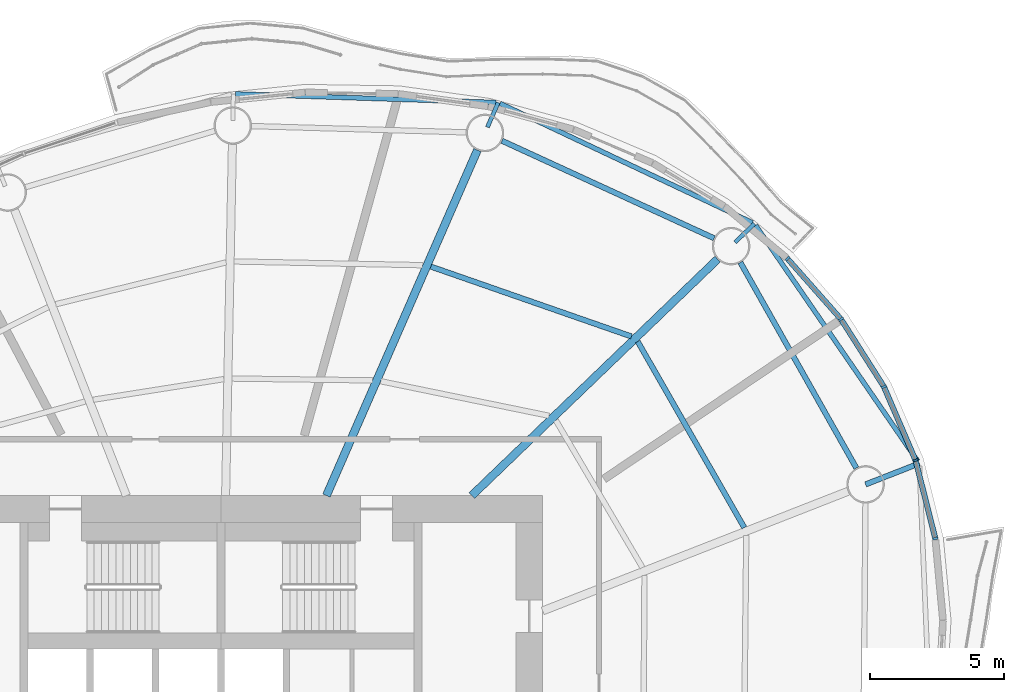
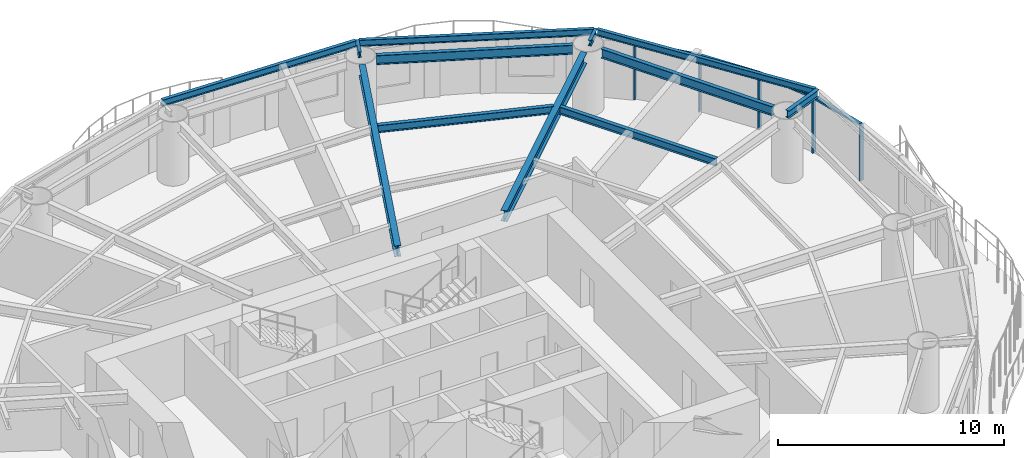
# One storey, part 6 of 16: 12 beams, 9 members, 4 elements without a shape of their own.
"""IFC4 building model written with IfcOpenShell, lengths in metres."""

from ifc_helpers import new_model, si_unit, direction, frame, origin, origin_2d, place, context, subcontext, project, spatial, rectangle, i_section, extrude, material, material_profile, profile_set, type_object, element, aggregate, save


model = new_model("IFC4")

# Units and contexts
model_context = context("Model", 3, precision=1e-05, world=origin(), true_north=direction((0.0, 1.0)))
body_context = subcontext(model_context, "Body", "Model", "MODEL_VIEW")
ifc_project = project(units=[si_unit("LENGTHUNIT", "METRE"), si_unit("AREAUNIT", "SQUARE_METRE"), si_unit("VOLUMEUNIT", "CUBIC_METRE"), si_unit("PLANEANGLEUNIT", "RADIAN"), si_unit("MASSUNIT", "GRAM", prefix="KILO")], contexts=[model_context])

# Site, building, storey
site_placement = place(None, origin())
site = spatial("IfcSite", under=ifc_project, at=site_placement, CompositionType="ELEMENT")
building_placement = place(site_placement, origin())
building = spatial("IfcBuilding", under=site, at=building_placement, Name="Vermilion Reach Broadcast Tower", CompositionType="ELEMENT")
storey_placement = place(building_placement, frame((0.0, 0.0, 147.0)))
storey = spatial("IfcBuildingStorey", under=building, at=storey_placement, Name="L34", CompositionType="ELEMENT", Elevation=147.0)

# Beams
ifc_material_1 = material(Name="Steel S355J2", Category="steel")
ifc_material_profile_1 = material_profile(ifc_material_1, i_section(OverallWidth=0.175048828125, OverallDepth=0.35009765625, WebThickness=0.007080078125, FlangeThickness=0.010986328125, at=origin_2d()), Name="S355J2 HN 350x175x7x11")
ifc_profile_set_1 = profile_set([ifc_material_profile_1], Name="Steel S355J2")
beam_type_1 = type_object("IfcBeamType", Name="EB3 HN 350x175x7x11", PredefinedType="BEAM", material=ifc_profile_set_1)
beam_1_placement = place(storey_placement, frame((13.8232421875, 19.173828125, 3.27490234375), z_axis=(-0.904101249833, 0.427318300626, 0.0), x_axis=(-0.427318300626, -0.904101249833, 0.0)))
element("IfcBeam", 1, at=beam_1_placement, inside=storey, type_object=beam_type_1, Name="Edge beam EB3-01", PredefinedType="BEAM", context=body_context, shape_type="SweptSolid", body=[
    extrude(i_section(OverallWidth=0.175048828125, OverallDepth=0.35009765625, WebThickness=0.007080078125, FlangeThickness=0.010986328125, at=origin_2d()), origin(), (0.0, 0.0, 1.0), 10.414306640625),
])
beam_2_placement = place(storey_placement, frame((4.25927734375, 23.65869140625, 3.27490234375), z_axis=(-0.999460730214, 0.03283669836, 0.0), x_axis=(-0.03283669836, -0.999460730214, 0.0)))
element("IfcBeam", 2, at=beam_2_placement, inside=storey, type_object=beam_type_1, Name="Edge beam EB3-02", PredefinedType="BEAM", context=body_context, shape_type="SweptSolid", body=[
    extrude(i_section(OverallWidth=0.175048828125, OverallDepth=0.35009765625, WebThickness=0.007080078125, FlangeThickness=0.010986328125, at=origin_2d()), origin(), (0.0, 0.0, 1.0), 9.724853515625),
])
beam_3_placement = place(storey_placement, frame((19.984619140625, 10.285400390625, 3.27490234375), z_axis=(-0.566623988306, 0.823976489881, 0.0), x_axis=(-0.823976489881, -0.566623988306, 0.0)))
element("IfcBeam", 3, at=beam_3_placement, inside=storey, type_object=beam_type_1, Name="Edge beam EB3-16", PredefinedType="BEAM", context=body_context, shape_type="SweptSolid", body=[
    extrude(i_section(OverallWidth=0.175048828125, OverallDepth=0.35009765625, WebThickness=0.007080078125, FlangeThickness=0.010986328125, at=origin_2d()), origin(), (0.0, 0.0, 1.0), 10.669677734375),
])
ifc_material_2 = material(Name="Steel S355J2", Category="steel")
ifc_material_profile_2 = material_profile(ifc_material_2, i_section(OverallWidth=0.300048828125, OverallDepth=0.587890625, WebThickness=0.011962890625, FlangeThickness=0.02001953125, at=origin_2d()), Name="S355J2 HM 588x300x12x20")
ifc_profile_set_2 = profile_set([ifc_material_profile_2], Name="Steel S355J2")
beam_type_2 = type_object("IfcBeamType", Name="G3 HM 588x300x12x20", PredefinedType="BEAM", material=ifc_profile_set_2)
beam_4_placement = place(storey_placement, frame((3.355712890625, 9.0, 3.156005859375), z_axis=(0.720670374476, 0.693277874559, 0.0), x_axis=(-0.693277874559, 0.720670374476, 0.0)))
element("IfcBeam", 4, at=beam_4_placement, inside=storey, type_object=beam_type_2, Name="Girder G3-01", PredefinedType="BEAM", context=body_context, shape_type="SweptSolid", body=[
    extrude(i_section(OverallWidth=0.300048828125, OverallDepth=0.587890625, WebThickness=0.011962890625, FlangeThickness=0.02001953125, at=origin_2d()), origin(), (0.0, 0.0, 1.0), 12.718505859375),
])
beam_5_placement = place(storey_placement, frame((-2.066162109375, 9.0, 3.156005859375), z_axis=(0.400519113205, 0.916288404356, 0.0), x_axis=(-0.916288404356, 0.400519113205, 0.0)))
element("IfcBeam", 5, at=beam_5_placement, inside=storey, type_object=beam_type_2, Name="Girder G3-02", PredefinedType="BEAM", context=body_context, shape_type="SweptSolid", body=[
    extrude(i_section(OverallWidth=0.300048828125, OverallDepth=0.587890625, WebThickness=0.011962890625, FlangeThickness=0.02001953125, at=origin_2d()), origin(), (0.0, 0.0, 1.0), 14.0595703125),
])
ifc_material_3 = material(Name="Steel S355J2", Category="steel")
ifc_material_profile_3 = material_profile(ifc_material_3, i_section(OverallWidth=0.199951171875, OverallDepth=0.39990234375, WebThickness=0.008056640625, FlangeThickness=0.012939453125, at=origin_2d()), Name="S355J2 HN 400x200x8x13")
ifc_profile_set_3 = profile_set([ifc_material_profile_3], Name="Steel S355J2")
beam_type_3 = type_object("IfcBeamType", Name="GC3 HN 400x200x8x13", PredefinedType="BEAM", material=ifc_profile_set_3)
beam_6_placement = place(storey_placement, frame((18.04052734375, 9.41650390625, 3.25), z_axis=(0.931107047128, 0.364746030532, 0.0), x_axis=(-0.364746030532, 0.931107047128, 0.0)))
element("IfcBeam", 6, at=beam_6_placement, inside=storey, type_object=beam_type_3, Name="Cantilever girder GC3-16", PredefinedType="BEAM", context=body_context, shape_type="SweptSolid", body=[
    extrude(i_section(OverallWidth=0.199951171875, OverallDepth=0.39990234375, WebThickness=0.008056640625, FlangeThickness=0.012939453125, at=origin_2d()), origin(), (0.0, 0.0, 1.0), 2.150634765625),
])
ifc_material_4 = material(Name="Steel S355J2", Category="steel")
ifc_material_profile_4 = material_profile(ifc_material_4, i_section(OverallWidth=0.14990234375, OverallDepth=0.300048828125, WebThickness=0.006591796875, FlangeThickness=0.009033203125, at=origin_2d()), Name="S355J2 HN 300x150x6.5x9")
ifc_profile_set_4 = profile_set([ifc_material_profile_4], Name="Steel S355J2")
beam_type_4 = type_object("IfcBeamType", Name="GS3 HN 300x150x6.5x9", PredefinedType="BEAM", material=ifc_profile_set_4)
for number, where, z_axis, x_axis, name in (
    (7, (13.17529296875, 18.4462890625, 3.300048828125), (0.720645397388, 0.693303837595, 0.0), (-0.693303837595, 0.720645397388, 0.0), "Cantilever stub GS3-01"),
    (8, (3.939453125, 22.73974609375, 3.300048828125), (0.400626718411, 0.916241361485, 0.0), (-0.916241361485, 0.400626718411, 0.0), "Cantilever stub GS3-02"),
):
    element("IfcBeam", number, at=place(storey_placement, frame(where, z_axis=z_axis, x_axis=x_axis)), inside=storey, type_object=beam_type_4, Name=name, PredefinedType="BEAM", context=body_context, shape_type="SweptSolid", body=[
        extrude(i_section(OverallWidth=0.14990234375, OverallDepth=0.300048828125, WebThickness=0.006591796875, FlangeThickness=0.009033203125, at=origin_2d()), origin(), (0.0, 0.0, 1.0), 1.0),
    ])
ifc_material_5 = material(Name="Steel S355J2", Category="steel")
ifc_material_profile_5 = material_profile(ifc_material_5, i_section(OverallWidth=0.199951171875, OverallDepth=0.5, WebThickness=0.010009765625, FlangeThickness=0.01611328125, at=origin_2d()), Name="S355J2 HN 500x200x10x16")
ifc_profile_set_5 = profile_set([ifc_material_profile_5], Name="Steel S355J2")
beam_type_5 = type_object("IfcBeamType", Name="RB3 HN 500x200x10x16", PredefinedType="BEAM", material=ifc_profile_set_5)
beam_7_placement = place(storey_placement, frame((12.389892578125, 18.594970703125, 3.199951171875), z_axis=(-0.908546241769, 0.417784306272, 0.0), x_axis=(-0.417784306272, -0.908546241769, 0.0)))
element("IfcBeam", 9, at=beam_7_placement, inside=storey, type_object=beam_type_5, Name="Ring beam RB3-01", PredefinedType="BEAM", context=body_context, shape_type="SweptSolid", body=[
    extrude(i_section(OverallWidth=0.199951171875, OverallDepth=0.5, WebThickness=0.010009765625, FlangeThickness=0.01611328125, at=origin_2d()), origin(), (0.0, 0.0, 1.0), 8.704833984375),
])
beam_8_placement = place(storey_placement, frame((17.696533203125, 10.026123046875, 3.199951171875), z_axis=(-0.491466825026, 0.870896296869, 0.0), x_axis=(-0.870896296869, -0.491466825026, 0.0)))
element("IfcBeam", 10, at=beam_8_placement, inside=storey, type_object=beam_type_5, Name="Ring beam RB3-16", PredefinedType="BEAM", context=body_context, shape_type="SweptSolid", body=[
    extrude(i_section(OverallWidth=0.199951171875, OverallDepth=0.5, WebThickness=0.010009765625, FlangeThickness=0.01611328125, at=origin_2d()), origin(), (0.0, 0.0, 1.0), 8.803466796875),
])
ifc_material_6 = material(Name="Steel S355J2", Category="steel")
ifc_material_profile_6 = material_profile(ifc_material_6, i_section(OverallWidth=0.199951171875, OverallDepth=0.39990234375, WebThickness=0.008056640625, FlangeThickness=0.012939453125, at=origin_2d()), Name="S355J2 HN 400x200x8x13")
ifc_profile_set_6 = profile_set([ifc_material_profile_6], Name="Steel S355J2")
beam_type_6 = type_object("IfcBeamType", Name="SB3 HN 400x200x8x13", PredefinedType="BEAM", material=ifc_profile_set_6)
beam_9_placement = place(storey_placement, frame((9.307373046875, 14.93359375, 3.25), z_axis=(-0.94431696779, 0.329037177754, 0.0), x_axis=(-0.329037177754, -0.94431696779, 0.0)))
element("IfcBeam", 11, at=beam_9_placement, inside=storey, type_object=beam_type_6, Name="Secondary beam SB3-01-2", PredefinedType="BEAM", context=body_context, shape_type="SweptSolid", body=[
    extrude(i_section(OverallWidth=0.199951171875, OverallDepth=0.39990234375, WebThickness=0.008056640625, FlangeThickness=0.012939453125, at=origin_2d()), origin(), (0.0, 0.0, 1.0), 7.91845703125),
])
beam_10_placement = place(storey_placement, frame((13.51708984375, 7.805908203125, 3.25), z_axis=(-0.497026503115, 0.867735360119, 0.0), x_axis=(-0.867735360119, -0.497026503115, 0.0)))
element("IfcBeam", 12, at=beam_10_placement, inside=storey, type_object=beam_type_6, Name="Secondary beam SB3-16-2", PredefinedType="BEAM", context=body_context, shape_type="SweptSolid", body=[
    extrude(i_section(OverallWidth=0.199951171875, OverallDepth=0.39990234375, WebThickness=0.008056640625, FlangeThickness=0.012939453125, at=origin_2d()), origin(), (0.0, 0.0, 1.0), 7.995849609375),
])

# Curtain wall, member
ifc_material_7 = material(Name="Low-e laminated clear glass in aluminium frame", Category="aluminium")
curtain_wall_type = type_object("IfcCurtainWallType", Name="Slot curtain wall", PredefinedType="NOTDEFINED", material=ifc_material_7)
placement = place(storey_placement, origin())
curtain_wall_1 = element("IfcCurtainWall", 13, at=placement, inside=storey, type_object=curtain_wall_type, Name="Slot curtain wall L34 46", PredefinedType="NOTDEFINED")
ifc_material_8 = material(Name="Anodised aluminium", Category="aluminium")
ifc_material_profile_7 = material_profile(ifc_material_8, rectangle(XDim=0.199951171875, YDim=0.080078125, at=origin_2d()), Name="Slot mullion 80 x 200")
ifc_profile_set_7 = profile_set([ifc_material_profile_7], Name="Anodised aluminium")
member_type_1 = type_object("IfcMemberType", Name="Slot mullion 80 x 200", PredefinedType="MULLION", material=ifc_profile_set_7)
member_1_placement = place(storey_placement, frame((20.640869140625, 7.397216796875, 0.0), z_axis=(0.0, 0.0, 1.0), x_axis=(-0.985507052003, -0.169634461276, 0.0)))
member_1 = element("IfcMember", 14, at=member_1_placement, type_object=member_type_1, Name="Slot mullion L34 46", PredefinedType="MULLION", context=body_context, shape_type="SweptSolid", body=[
    extrude(rectangle(XDim=0.199951171875, YDim=0.080078125, at=origin_2d()), origin(), (0.0, 0.0, 1.0), 3.050048828125),
])

curtain_wall_2 = element("IfcCurtainWall", 15, at=placement, inside=storey, type_object=curtain_wall_type, Name="Slot curtain wall L34 47", PredefinedType="NOTDEFINED")
member_2_placement = place(storey_placement, frame((19.90283203125, 10.315673828125, 0.0), z_axis=(0.0, 0.0, 1.0), x_axis=(-0.947035981058, -0.321127467809, 0.0)))
member_2 = element("IfcMember", 16, at=member_2_placement, type_object=member_type_1, Name="Slot mullion L34 47", PredefinedType="MULLION", context=body_context, shape_type="SweptSolid", body=[
    extrude(rectangle(XDim=0.199951171875, YDim=0.080078125, at=origin_2d()), origin(), (0.0, 0.0, 1.0), 3.050048828125),
])

curtain_wall_3 = element("IfcCurtainWall", 17, at=placement, inside=storey, type_object=curtain_wall_type, Name="Slot curtain wall L34 00", PredefinedType="NOTDEFINED")
member_3_placement = place(storey_placement, frame((18.723876953125, 13.057373046875, 0.0), z_axis=(0.0, 0.0, 1.0), x_axis=(-0.884255178267, -0.467004046779, 0.0)))
member_3 = element("IfcMember", 18, at=member_3_placement, type_object=member_type_1, Name="Slot mullion L34 00", PredefinedType="MULLION", context=body_context, shape_type="SweptSolid", body=[
    extrude(rectangle(XDim=0.199951171875, YDim=0.080078125, at=origin_2d()), origin(), (0.0, 0.0, 1.0), 3.050048828125),
])

# Curtain wall, members
curtain_wall_4 = element("IfcCurtainWall", 19, at=placement, inside=storey, type_object=curtain_wall_type, Name="Slot curtain wall L34 01", PredefinedType="NOTDEFINED")
member_4_placement = place(storey_placement, frame((17.1240234375, 15.576904296875, 0.0), z_axis=(0.0, 0.0, 1.0), x_axis=(-0.799172131679, -0.601102240844, 0.0)))
member_4 = element("IfcMember", 20, at=member_4_placement, type_object=member_type_1, Name="Slot mullion L34 01", PredefinedType="MULLION", context=body_context, shape_type="SweptSolid", body=[
    extrude(rectangle(XDim=0.199951171875, YDim=0.080078125, at=origin_2d()), origin(), (0.0, 0.0, 1.0), 3.050048828125),
])
member_5_placement = place(storey_placement, frame((15.1298828125, 17.83203125, 0.0), z_axis=(0.0, 0.0, 1.0), x_axis=(-0.695744297152, -0.718289546757, 0.0)))
member_5 = element("IfcMember", 21, at=member_5_placement, type_object=member_type_1, Name="Slot mullion L34 02", PredefinedType="MULLION", context=body_context, shape_type="SweptSolid", body=[
    extrude(rectangle(XDim=0.199951171875, YDim=0.080078125, at=origin_2d()), origin(), (0.0, 0.0, 1.0), 3.050048828125),
])

# Member
ifc_material_9 = material(Name="Anodised aluminium", Category="aluminium")
ifc_material_profile_8 = material_profile(ifc_material_9, rectangle(XDim=0.199951171875, YDim=0.10009765625, at=origin_2d()), Name="Slot transom 200 x 100")
ifc_profile_set_8 = profile_set([ifc_material_profile_8], Name="Anodised aluminium")
member_type_2 = type_object("IfcMemberType", Name="Slot transom 200 x 100", PredefinedType="USERDEFINED", material=ifc_profile_set_8)
member_6_placement = place(storey_placement, frame((20.631103515625, 7.43603515625, 3.0), z_axis=(-0.245200841308, 0.969472303587, 0.0), x_axis=(-0.969472303587, -0.245200841308, 0.0)))
member_6 = element("IfcMember", 22, at=member_6_placement, type_object=member_type_2, Name="Slot transom L34 46.1", ObjectType="TRANSOM", PredefinedType="USERDEFINED", context=body_context, shape_type="SweptSolid", body=[
    extrude(rectangle(XDim=0.199951171875, YDim=0.10009765625, at=origin_2d()), origin(), (0.0, 0.0, 1.0), 2.93017578125),
])

aggregate(curtain_wall_1, [member_1, member_6])

member_7_placement = place(storey_placement, frame((19.886962890625, 10.352294921875, 3.0), z_axis=(-0.39503484407, 0.918666137381, 0.0), x_axis=(-0.918666137381, -0.39503484407, 0.0)))
member_7 = element("IfcMember", 23, at=member_7_placement, type_object=member_type_2, Name="Slot transom L34 47.1", ObjectType="TRANSOM", PredefinedType="USERDEFINED", context=body_context, shape_type="SweptSolid", body=[
    extrude(rectangle(XDim=0.199951171875, YDim=0.10009765625, at=origin_2d()), origin(), (0.0, 0.0, 1.0), 2.90478515625),
])

aggregate(curtain_wall_2, [member_2, member_7])

member_8_placement = place(storey_placement, frame((18.702392578125, 13.09130859375, 3.0), z_axis=(-0.536037614736, 0.84419409829, 0.0), x_axis=(-0.84419409829, -0.536037614736, 0.0)))
member_8 = element("IfcMember", 24, at=member_8_placement, type_object=member_type_2, Name="Slot transom L34 00.1", ObjectType="TRANSOM", PredefinedType="USERDEFINED", context=body_context, shape_type="SweptSolid", body=[
    extrude(rectangle(XDim=0.199951171875, YDim=0.10009765625, at=origin_2d()), origin(), (0.0, 0.0, 1.0), 2.904541015625),
])

aggregate(curtain_wall_3, [member_3, member_8])

member_9_placement = place(storey_placement, frame((17.097412109375, 15.60693359375, 3.0), z_axis=(-0.662365323543, 0.749181004943, 0.0), x_axis=(-0.749181004943, -0.662365323543, 0.0)))
member_9 = element("IfcMember", 25, at=member_9_placement, type_object=member_type_2, Name="Slot transom L34 01.1", ObjectType="TRANSOM", PredefinedType="USERDEFINED", context=body_context, shape_type="SweptSolid", body=[
    extrude(rectangle(XDim=0.199951171875, YDim=0.10009765625, at=origin_2d()), origin(), (0.0, 0.0, 1.0), 2.93017578125),
])

aggregate(curtain_wall_4, [member_4, member_5, member_9])

save(model, "model.ifc")
